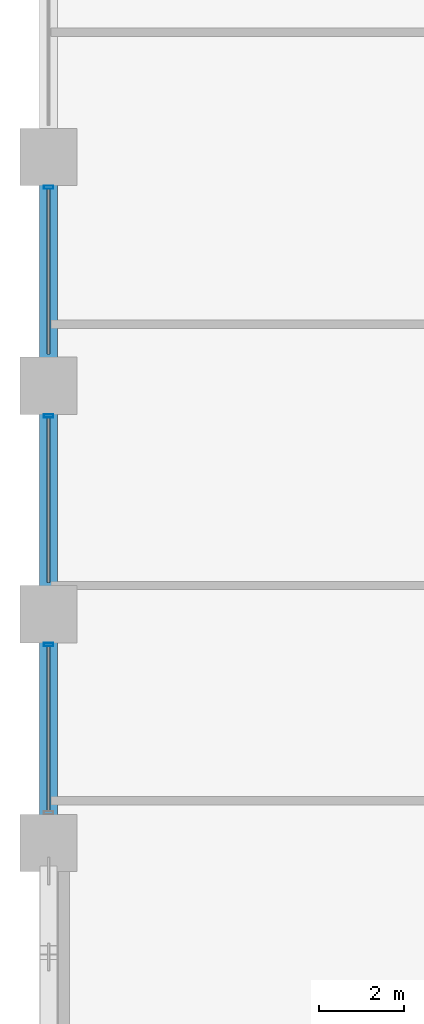
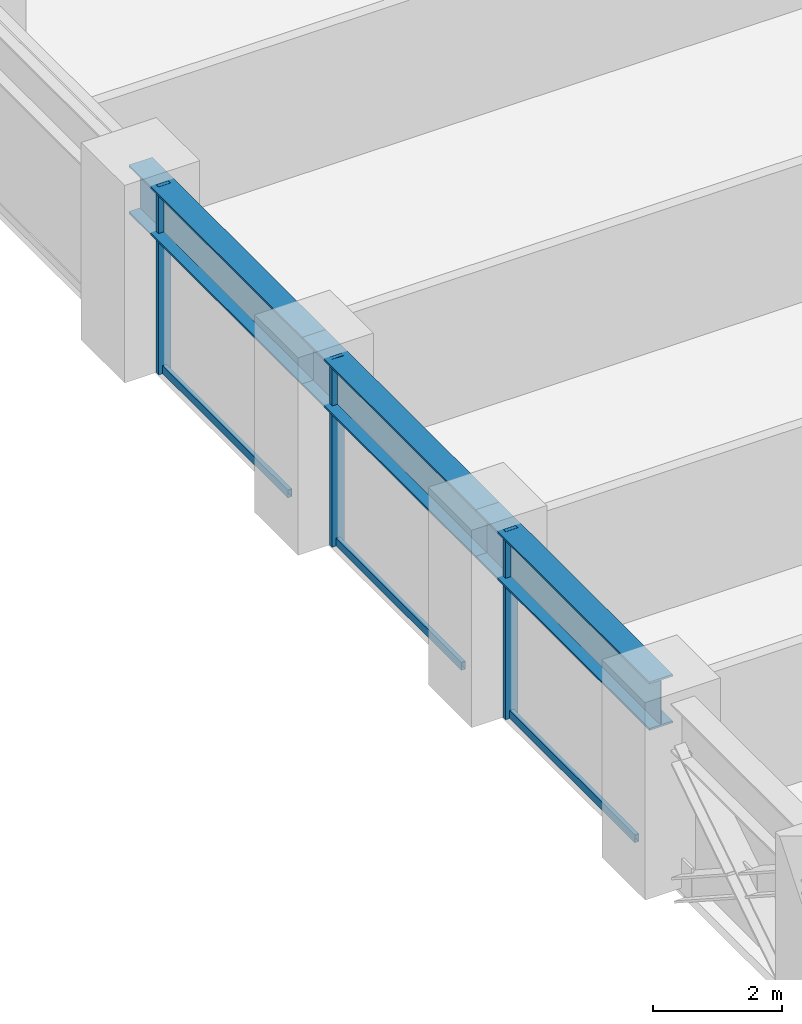
# One storey, part 6 of 24: 6 members, 3 beams, 1 element without a shape of its own.
"""IFC4 building model written with IfcOpenShell, lengths in metres."""

from ifc_helpers import new_model, si_unit, direction, frame, origin, origin_2d, place, context, subcontext, project, spatial, hollow_rectangle, i_section, extrude, material, layer, layer_set, material_profile, profile_set, type_object, element, aggregate, save


model = new_model("IFC4")

# Units and contexts
model_context = context("Model", 3, precision=1e-05, world=origin(), true_north=direction((0.0, 1.0)))
body_context = subcontext(model_context, "Body", "Model", "MODEL_VIEW")
ifc_project = project(units=[si_unit("LENGTHUNIT", "METRE"), si_unit("AREAUNIT", "SQUARE_METRE"), si_unit("VOLUMEUNIT", "CUBIC_METRE"), si_unit("PLANEANGLEUNIT", "RADIAN"), si_unit("MASSUNIT", "GRAM", prefix="KILO")], contexts=[model_context])

# Site, building, storey
site_placement = place(None, origin())
site = spatial("IfcSite", under=ifc_project, at=site_placement, CompositionType="ELEMENT")
building_placement = place(site_placement, origin())
building = spatial("IfcBuilding", under=site, at=building_placement, Name="Surkhivell Harbour Commons", CompositionType="ELEMENT")
storey_placement = place(building_placement, frame((0.0, 0.0, 30.0)))
storey = spatial("IfcBuildingStorey", under=building, at=storey_placement, Name="L07", CompositionType="ELEMENT", Elevation=30.0)

# Beams
ifc_material_1 = material(Name="Steel S460", Category="steel")
ifc_material_profile_1 = material_profile(ifc_material_1, i_section(OverallWidth=0.419921875, OverallDepth=0.9208984375, WebThickness=0.021484375, FlangeThickness=0.03662109375, at=origin_2d()), Name="UB914x419x388")
ifc_profile_set_1 = profile_set([ifc_material_profile_1], Name="Steel S460")
beam_type = type_object("IfcBeamType", Name="BM-SPN-914A", PredefinedType="SPANDREL", material=ifc_profile_set_1)
beam_placement = place(storey_placement, frame((-32.39990234375, -10.800048828125, 3.109619140625), z_axis=(0.0, 1.0, 0.0), x_axis=(-1.0, 0.0, 0.0)))
element("IfcBeam", 1, at=beam_placement, inside=storey, type_object=beam_type, Name="L07 Tube Spandrel (-32.4,-10.8)", PredefinedType="SPANDREL", context=body_context, shape_type="SweptSolid", body=[
    extrude(i_section(OverallWidth=0.419921875, OverallDepth=0.9208984375, WebThickness=0.021484375, FlangeThickness=0.03662109375, at=origin_2d()), origin(), (0.0, 0.0, 1.0), 5.400146484375),
])
for number, where, z_axis, x_axis, name in (
    (2, (-32.39990234375, -5.39990234375, 3.109619140625), (0.0, 1.0, 0.0), (-1.0, 0.0, 0.0), "L07 Tube Spandrel (-32.4,-5.4)"),
    (3, (-32.39990234375, 0.0, 3.109619140625), (0.0, 1.0, 0.0), (-1.0, 0.0, 0.0), "L07 Tube Spandrel (-32.4,0.0)"),
):
    element("IfcBeam", number, at=place(storey_placement, frame(where, z_axis=z_axis, x_axis=x_axis)), inside=storey, type_object=beam_type, Name=name, PredefinedType="SPANDREL", context=body_context, shape_type="SweptSolid", body=[
        extrude(i_section(OverallWidth=0.419921875, OverallDepth=0.9208984375, WebThickness=0.021484375, FlangeThickness=0.03662109375, at=origin_2d()), origin(), (0.0, 0.0, 1.0), 5.39990234375),
    ])

# Curtain wall, members
ifc_material_2 = material(Name="Anodised pale-metal aluminium and insulated glazing", Category="aluminium")
ifc_layer = layer(ifc_material_2, 0.219970703125)
ifc_layer_set = layer_set([ifc_layer], Name="Anodised pale-metal aluminium and insulated glazing")
curtain_wall_type = type_object("IfcCurtainWallType", Name="CW-SYS-Z1", PredefinedType="NOTDEFINED", material=ifc_layer_set)
curtain_wall_placement = place(storey_placement, origin())
curtain_wall = element("IfcCurtainWall", 4, at=curtain_wall_placement, inside=storey, type_object=curtain_wall_type, Name="L07 Curtain Wall CW-L07-E12S1", PredefinedType="NOTDEFINED")
ifc_material_3 = material(Name="Anodised pale-metal aluminium alloy 6063-T6", Category="aluminium")
ifc_material_profile_2 = material_profile(ifc_material_3, hollow_rectangle(XDim=0.074951171875, YDim=0.219970703125, WallThickness=0.00390625, at=origin_2d()), Name="ALU-MULL-75x220")
ifc_profile_set_2 = profile_set([ifc_material_profile_2], Name="Anodised pale-metal aluminium alloy 6063-T6")
member_type_1 = type_object("IfcMemberType", Name="CWM-220", PredefinedType="MULLION", material=ifc_profile_set_2)
member_1_placement = place(storey_placement, frame((-32.39990234375, 4.685546875, 0.0), z_axis=(0.0, 0.0, 1.0), x_axis=(0.0, -1.0, 0.0)))
member_1 = element("IfcMember", 5, at=member_1_placement, type_object=member_type_1, Name="CW-Z1 mullion 4", PredefinedType="MULLION", context=body_context, shape_type="SweptSolid", body=[
    extrude(hollow_rectangle(XDim=0.074951171875, YDim=0.219970703125, WallThickness=0.00390625, at=origin_2d()), origin(), (0.0, 0.0, 1.0), 3.570068359375),
])
member_2_placement = place(storey_placement, frame((-32.39990234375, -0.714599609375, 0.0), z_axis=(0.0, 0.0, 1.0), x_axis=(0.0, -1.0, 0.0)))
member_2 = element("IfcMember", 6, at=member_2_placement, type_object=member_type_1, Name="CW-Z1 mullion 5", PredefinedType="MULLION", context=body_context, shape_type="SweptSolid", body=[
    extrude(hollow_rectangle(XDim=0.074951171875, YDim=0.219970703125, WallThickness=0.00390625, at=origin_2d()), origin(), (0.0, 0.0, 1.0), 3.570068359375),
])
member_3_placement = place(storey_placement, frame((-32.39990234375, -6.114501953125, 0.0), z_axis=(0.0, 0.0, 1.0), x_axis=(0.0, -1.0, 0.0)))
member_3 = element("IfcMember", 7, at=member_3_placement, type_object=member_type_1, Name="CW-Z1 mullion 6", PredefinedType="MULLION", context=body_context, shape_type="SweptSolid", body=[
    extrude(hollow_rectangle(XDim=0.074951171875, YDim=0.219970703125, WallThickness=0.00390625, at=origin_2d()), origin(), (0.0, 0.0, 1.0), 3.570068359375),
])
ifc_material_profile_3 = material_profile(ifc_material_3, hollow_rectangle(XDim=0.074951171875, YDim=0.14990234375, WallThickness=0.00341796875, at=origin_2d()), Name="ALU-TRAN-75x150")
ifc_profile_set_3 = profile_set([ifc_material_profile_3], Name="Anodised pale-metal aluminium alloy 6063-T6")
member_type_2 = type_object("IfcMemberType", Name="CWT-150", PredefinedType="USERDEFINED", material=ifc_profile_set_3)
member_4_placement = place(storey_placement, frame((-32.39990234375, 4.64794921875, 0.074951171875), z_axis=(0.0, -1.0, 0.0), x_axis=(1.0, 0.0, 0.0)))
member_4 = element("IfcMember", 8, at=member_4_placement, type_object=member_type_2, Name="CW-Z1 transom 4.1", ObjectType="TRANSOM", PredefinedType="USERDEFINED", context=body_context, shape_type="SweptSolid", body=[
    extrude(hollow_rectangle(XDim=0.074951171875, YDim=0.14990234375, WallThickness=0.00341796875, at=origin_2d()), origin(), (0.0, 0.0, 1.0), 3.89599609375),
])
member_5_placement = place(storey_placement, frame((-32.39990234375, -0.751953125, 0.074951171875), z_axis=(0.0, -1.0, 0.0), x_axis=(1.0, 0.0, 0.0)))
member_5 = element("IfcMember", 9, at=member_5_placement, type_object=member_type_2, Name="CW-Z1 transom 5.1", ObjectType="TRANSOM", PredefinedType="USERDEFINED", context=body_context, shape_type="SweptSolid", body=[
    extrude(hollow_rectangle(XDim=0.074951171875, YDim=0.14990234375, WallThickness=0.00341796875, at=origin_2d()), origin(), (0.0, 0.0, 1.0), 3.89599609375),
])
member_6_placement = place(storey_placement, frame((-32.39990234375, -6.152099609375, 0.074951171875), z_axis=(0.0, -1.0, 0.0), x_axis=(1.0, 0.0, 0.0)))
member_6 = element("IfcMember", 10, at=member_6_placement, type_object=member_type_2, Name="CW-Z1 transom 6.1", ObjectType="TRANSOM", PredefinedType="USERDEFINED", context=body_context, shape_type="SweptSolid", body=[
    extrude(hollow_rectangle(XDim=0.074951171875, YDim=0.14990234375, WallThickness=0.00341796875, at=origin_2d()), origin(), (0.0, 0.0, 1.0), 3.89599609375),
])
aggregate(curtain_wall, [member_1, member_4, member_2, member_5, member_3, member_6])

save(model, "model.ifc")
